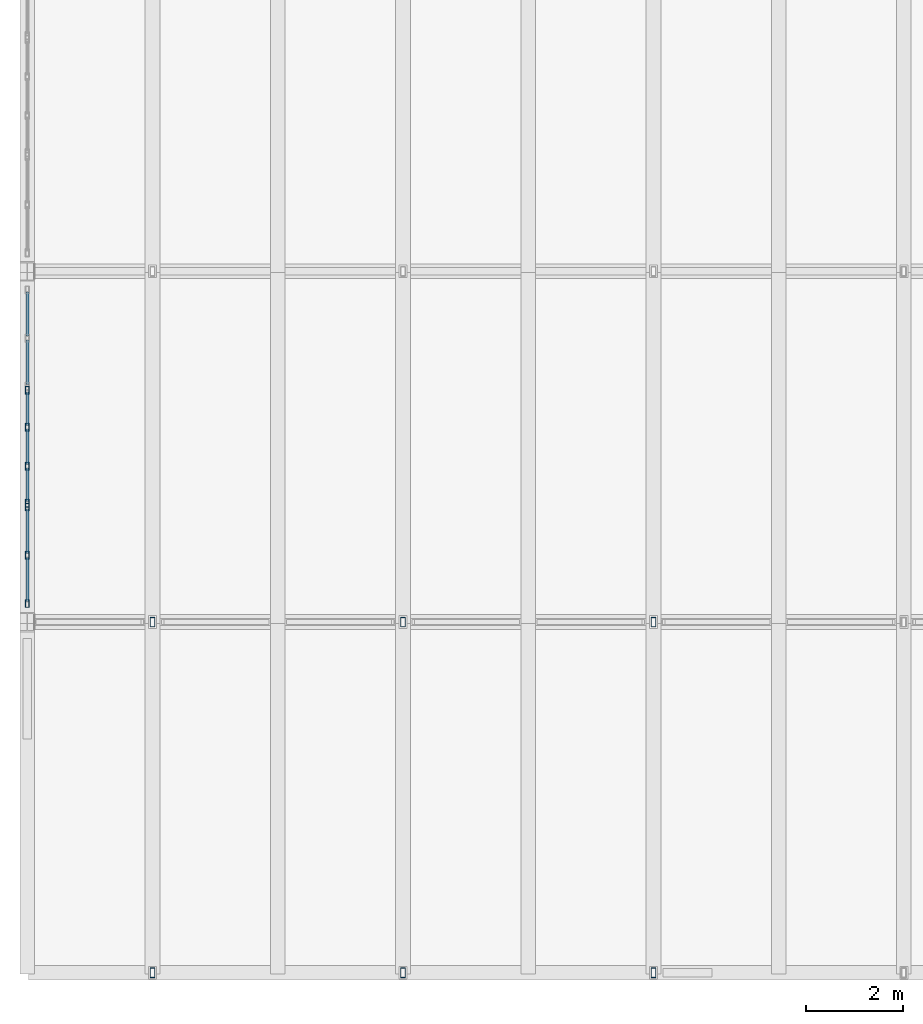
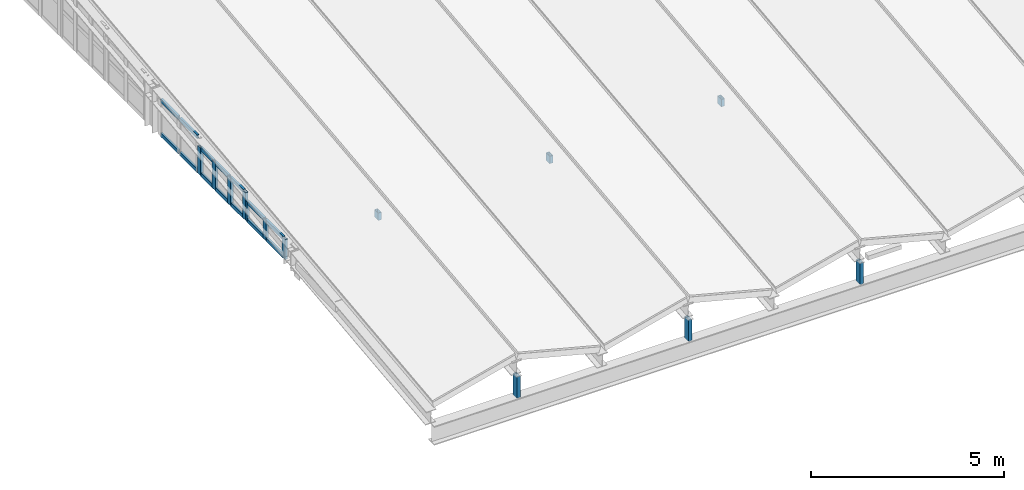
# One storey, part 17 of 39: 27 members, 3 elements without a shape of their own.
"""IFC4 building model written with IfcOpenShell, lengths in metres."""

import ifcopenshell
import ifcopenshell.guid

model = None  # the IFC model being written
_history = None  # IfcOwnerHistory: only IFC2X3 demands one
_inside = {}  # id of a spatial element -> (the spatial element, [elements in it])
_under = {}  # id of a project, library or spatial element -> (it, [spatial elements below it])
_declared = {}  # id of a project -> (the project, [libraries it declares])
_typed = {}  # id of a type object -> (the type object, [elements of that type])
_made_of = {}  # id of a material, layer set ... -> (it, [elements and type objects made of it])


def new_model(schema):
    """Start an empty IFC model of exactly this schema.

    Asked for "IFC4X3", IfcOpenShell would pick the latest addendum, in which some entities
    have other attributes; the version numbers below select the first issue.
    IFC2X3 requires an IfcOwnerHistory on every rooted entity: one is made here for all.
    """
    global model, _history
    if schema == "IFC4X3":
        model = ifcopenshell.file(schema_version=(4, 3, 0, 0))
    else:
        model = ifcopenshell.file(schema=schema)
    _inside.clear()
    _under.clear()
    _declared.clear()
    _typed.clear()
    _made_of.clear()
    _history = None
    if model.schema == "IFC2X3":
        org = make("IfcOrganization", Name="unknown")
        user = make(
            "IfcPersonAndOrganization",
            ThePerson=make("IfcPerson", FamilyName="unknown"),
            TheOrganization=org,
        )
        app = make(
            "IfcApplication",
            ApplicationDeveloper=org,
            Version="unknown",
            ApplicationFullName="unknown",
            ApplicationIdentifier="unknown",
        )
        _history = make(
            "IfcOwnerHistory",
            OwningUser=user,
            OwningApplication=app,
            ChangeAction="ADDED",
            CreationDate=0,
        )
    return model


def make(cls, **values):
    """One entity of the class cls with the attributes given. An attribute that is None is left unset."""
    return model.create_entity(
        cls, **{name: value for name, value in values.items() if value is not None}
    )


def rooted(cls, **values):
    """An entity with a GlobalId (a new one), such as an element, a storey or a relation."""
    return make(cls, GlobalId=ifcopenshell.guid.new(), OwnerHistory=_history, **values)


def si_unit(unit_type, name, prefix=None):
    """IfcSIUnit, for example si_unit("LENGTHUNIT", "METRE", prefix="MILLI")."""
    return make("IfcSIUnit", UnitType=unit_type, Prefix=prefix, Name=name)


def assignment(units):
    """IfcUnitAssignment: the units of a project."""
    return None if units is None else make("IfcUnitAssignment", Units=units)


def point(xyz):
    """IfcCartesianPoint."""
    return None if xyz is None else make("IfcCartesianPoint", Coordinates=xyz)


def direction(xyz):
    """IfcDirection."""
    return None if xyz is None else make("IfcDirection", DirectionRatios=xyz)


def frame(location, z_axis=None, x_axis=None):
    """IfcAxis2Placement3D, a coordinate frame: its origin and axes. An axis left out is left unset."""
    return make(
        "IfcAxis2Placement3D",
        Location=point(location),
        Axis=direction(z_axis),
        RefDirection=direction(x_axis),
    )


def frame_2d(location, x_axis=None):
    """IfcAxis2Placement2D, a coordinate frame in the plane: its origin and x axis."""
    return make(
        "IfcAxis2Placement2D", Location=point(location), RefDirection=direction(x_axis)
    )


def origin():
    """The frame at (0, 0, 0) with its axes left unset."""
    return frame((0.0, 0.0, 0.0))


def origin_2d():
    """The frame at (0, 0) in the plane with its x axis left unset."""
    return frame_2d((0.0, 0.0))


def place(relative_to, where):
    """IfcLocalPlacement: puts the frame where relative to a parent placement (None: the world)."""
    return make(
        "IfcLocalPlacement", PlacementRelTo=relative_to, RelativePlacement=where
    )


def context(
    kind, dimensions, precision=None, world=None, true_north=None, identifier=None
):
    """IfcGeometricRepresentationContext, for example the 3D "Model" context."""
    return make(
        "IfcGeometricRepresentationContext",
        ContextIdentifier=identifier,
        ContextType=kind,
        CoordinateSpaceDimension=dimensions,
        Precision=precision,
        WorldCoordinateSystem=world,
        TrueNorth=true_north,
    )


def subcontext(parent, identifier, kind, view, scale=None):
    """IfcGeometricRepresentationSubContext, for example "Body" below "Model"."""
    return make(
        "IfcGeometricRepresentationSubContext",
        ContextIdentifier=identifier,
        ContextType=kind,
        ParentContext=parent,
        TargetScale=scale,
        TargetView=view,
    )


def project(units=None, contexts=None):
    """IfcProject with its units and contexts."""
    return rooted(
        "IfcProject",
        Name="project",
        RepresentationContexts=contexts,
        UnitsInContext=assignment(units),
    )


def spatial(cls, under=None, at=None, **own):
    """A site, building, storey or space (cls), placed at a placement, below another one or the project."""
    s = rooted(cls, ObjectPlacement=at, **own)
    if under is not None:
        _under.setdefault(under.id(), (under, []))[1].append(s)
    return s


def profile(cls, at=None, kind="AREA", **sizes):
    """A parametric profile (cls). Its sizes go by their IFC names, for example OverallWidth=200.0."""
    return make(cls, ProfileType=kind, Position=at, **sizes)


def hollow_rectangle(**sizes):
    """IfcRectangleHollowProfileDef."""
    return profile("IfcRectangleHollowProfileDef", **sizes)


def extrude(swept, where, along, depth):
    """IfcExtrudedAreaSolid: the profile swept, set in the frame where, extruded along a direction by depth."""
    return make(
        "IfcExtrudedAreaSolid",
        SweptArea=swept,
        Position=where,
        ExtrudedDirection=direction(along),
        Depth=depth,
    )


def shape(context_of_items, identifier, shape_type, items):
    """IfcShapeRepresentation: the items that make up one representation, for example the "Body"."""
    return make(
        "IfcShapeRepresentation",
        ContextOfItems=context_of_items,
        RepresentationIdentifier=identifier,
        RepresentationType=shape_type,
        Items=items,
    )


def material(Name=None, Category=None):
    """IfcMaterial."""
    return make("IfcMaterial", Name=Name, Category=Category)


def layer(
    of_material, thickness, ventilated=None, Name=None, Category=None, Priority=None
):
    """IfcMaterialLayer: one layer of a wall or slab, of a material (None: an air gap)."""
    return make(
        "IfcMaterialLayer",
        Material=of_material,
        LayerThickness=thickness,
        IsVentilated=ventilated,
        Name=Name,
        Category=Category,
        Priority=Priority,
    )


def layer_set(layers, Name=None):
    """IfcMaterialLayerSet."""
    return make("IfcMaterialLayerSet", MaterialLayers=layers, LayerSetName=Name)


def material_profile(
    of_material, cross_section, Name=None, Category=None, Priority=None
):
    """IfcMaterialProfile: a cross section and its material."""
    return make(
        "IfcMaterialProfile",
        Name=Name,
        Material=of_material,
        Profile=cross_section,
        Priority=Priority,
        Category=Category,
    )


def profile_set(profiles, Name=None, composite=None):
    """IfcMaterialProfileSet."""
    return make(
        "IfcMaterialProfileSet",
        Name=Name,
        MaterialProfiles=profiles,
        CompositeProfile=composite,
    )


def made_of(thing, what):
    """Note that an element or type object is made of a material, layer set ...; save() writes the relation."""
    if what is not None:
        _made_of.setdefault(what.id(), (what, []))[1].append(thing)
    return thing


def type_object(cls, material=None, **own):
    """A type object (cls), such as IfcWallType, which elements share."""
    return made_of(rooted(cls, **own), material)


def element(
    cls,
    number,
    at=None,
    inside=None,
    cuts=None,
    type_object=None,
    material=None,
    context=None,
    identifier="Body",
    shape_type=None,
    held_by="IfcProductDefinitionShape",
    body=None,
    shapes=None,
    **own,
):
    """One element of the class cls, such as IfcWall. Its Tag is "e" and its number.

    at: its placement. inside: the storey or other place that contains it. cuts: it is an
    opening in that element (IfcRelVoidsElement). A single representation is given by context,
    identifier, shape_type and body (its items); several are given by shapes. held_by: the class
    of the entity that holds the representations. save() writes the other relations.
    """
    e = rooted(cls, Tag="e%d" % number, ObjectPlacement=at, **own)
    if body is not None:
        shapes = [shape(context, identifier, shape_type, body)]
    if shapes is not None:
        e.Representation = make(held_by, Representations=shapes)
    if inside is not None:
        _inside.setdefault(inside.id(), (inside, []))[1].append(e)
    if cuts is not None:
        rooted(
            "IfcRelVoidsElement", RelatingBuildingElement=cuts, RelatedOpeningElement=e
        )
    if type_object is not None:
        _typed.setdefault(type_object.id(), (type_object, []))[1].append(e)
    return made_of(e, material)


def aggregate(whole, parts):
    """IfcRelAggregates: a whole, such as a stair, and the parts it consists of."""
    return rooted("IfcRelAggregates", RelatingObject=whole, RelatedObjects=parts)


def save(model, path):
    """Write the relations noted so far, then the file.

    IfcRelAggregates (storeys below a building ...), IfcRelContainedInSpatialStructure (elements
    in a storey), IfcRelDefinesByType, IfcRelAssociatesMaterial and IfcRelDeclares: one each for
    every whole, place, type object, material and project.
    """
    for whole, parts in _under.values():
        aggregate(whole, parts)
    for where, things in _inside.values():
        rooted(
            "IfcRelContainedInSpatialStructure",
            RelatedElements=things,
            RelatingStructure=where,
        )
    for kind, things in _typed.values():
        rooted("IfcRelDefinesByType", RelatedObjects=things, RelatingType=kind)
    for what, things in _made_of.values():
        rooted("IfcRelAssociatesMaterial", RelatedObjects=things, RelatingMaterial=what)
    for by, libraries in _declared.values():
        rooted("IfcRelDeclares", RelatingContext=by, RelatedDefinitions=libraries)
    model.write(path)


model = new_model("IFC4")

# Units and contexts
model_context = context("Model", 3, precision=1e-05, world=origin(), true_north=direction((0.0, 1.0)))
body_context = subcontext(model_context, "Body", "Model", "MODEL_VIEW")
ifc_project = project(units=[si_unit("LENGTHUNIT", "METRE"), si_unit("AREAUNIT", "SQUARE_METRE"), si_unit("VOLUMEUNIT", "CUBIC_METRE"), si_unit("PLANEANGLEUNIT", "RADIAN"), si_unit("MASSUNIT", "GRAM", prefix="KILO"), si_unit("THERMODYNAMICTEMPERATUREUNIT", "KELVIN"), si_unit("POWERUNIT", "WATT")], contexts=[model_context])

# Site, building, storey
site_placement = place(None, origin())
site = spatial("IfcSite", under=ifc_project, at=site_placement, CompositionType="ELEMENT")
building_placement = place(site_placement, origin())
building = spatial("IfcBuilding", under=site, at=building_placement, Name="Kaldorven Railside Theatre", CompositionType="ELEMENT")
storey_placement = place(building_placement, frame((0.0, 0.0, 27.300048828125)))
storey = spatial("IfcBuildingStorey", under=building, at=storey_placement, Name="ROOF", CompositionType="ELEMENT", Elevation=27.300048828125)

# Curtain wall, members
ifc_material_1 = material(Name="Low-E laminated solar-control glass", Category="glass")
ifc_layer_1 = layer(ifc_material_1, 0.159912109375, Name="Low-E laminated solar-control glass")
ifc_layer_set_1 = layer_set([ifc_layer_1], Name="Low-E laminated solar-control glass")
curtain_wall_type_1 = type_object("IfcCurtainWallType", Name="CWT-53", PredefinedType="USERDEFINED", material=ifc_layer_set_1)
curtain_wall_1_placement = place(storey_placement, origin())
curtain_wall_1 = element("IfcCurtainWall", 1, at=curtain_wall_1_placement, inside=storey, type_object=curtain_wall_type_1, Name="Fly-Tower West Crown Clerestory CWG-092", ObjectType="FLUTED GLAZING", PredefinedType="USERDEFINED")
ifc_material_2 = material(Name="Anodised bronze aluminium", Category="aluminium")
ifc_material_profile_1 = material_profile(ifc_material_2, hollow_rectangle(XDim=0.080078125, YDim=0.159912109375, WallThickness=0.00634765625, at=origin_2d()), Name="RHS 160x80x6.3")
ifc_profile_set_1 = profile_set([ifc_material_profile_1], Name="Anodised bronze aluminium")
member_type_1 = type_object("IfcMemberType", Name="CWM-160", PredefinedType="MULLION", material=ifc_profile_set_1)
member_1_placement = place(storey_placement, frame((87.199951171875, 91.580078125, 0.02001953125), z_axis=(0.0, 0.0, 1.0), x_axis=(-1.0, 0.0, 0.0)))
member_1 = element("IfcMember", 2, at=member_1_placement, type_object=member_type_1, Name="CWG-092 mullion 1", PredefinedType="MULLION", context=body_context, shape_type="SweptSolid", body=[
    extrude(hollow_rectangle(XDim=0.080078125, YDim=0.159912109375, WallThickness=0.00634765625, at=origin_2d()), origin(), (0.0, 0.0, 1.0), 0.6298828125),
])
member_2_placement = place(storey_placement, frame((87.199951171875, 92.570068359375, 0.02001953125), z_axis=(0.0, 0.0, 1.0), x_axis=(-1.0, 0.0, 0.0)))
member_2 = element("IfcMember", 3, at=member_2_placement, type_object=member_type_1, Name="CWG-092 mullion 2", PredefinedType="MULLION", context=body_context, shape_type="SweptSolid", body=[
    extrude(hollow_rectangle(XDim=0.080078125, YDim=0.159912109375, WallThickness=0.00634765625, at=origin_2d()), origin(), (0.0, 0.0, 1.0), 0.6298828125),
])
member_3_placement = place(storey_placement, frame((87.199951171875, 93.56005859375, 0.02001953125), z_axis=(0.0, 0.0, 1.0), x_axis=(-1.0, 0.0, 0.0)))
member_3 = element("IfcMember", 4, at=member_3_placement, type_object=member_type_1, Name="CWG-092 mullion 3", PredefinedType="MULLION", context=body_context, shape_type="SweptSolid", body=[
    extrude(hollow_rectangle(XDim=0.080078125, YDim=0.159912109375, WallThickness=0.00634765625, at=origin_2d()), origin(), (0.0, 0.0, 1.0), 0.6298828125),
])

ifc_layer_2 = layer(ifc_material_1, 0.159912109375, Name="Low-E laminated solar-control glass")
ifc_layer_set_2 = layer_set([ifc_layer_2], Name="Low-E laminated solar-control glass")
curtain_wall_type_2 = type_object("IfcCurtainWallType", Name="CWT-27", PredefinedType="USERDEFINED", material=ifc_layer_set_2)
curtain_wall_2_placement = place(storey_placement, origin())
curtain_wall_2 = element("IfcCurtainWall", 5, at=curtain_wall_2_placement, inside=storey, type_object=curtain_wall_type_2, Name="Fly-Tower West Crown Clerestory CWG-093", ObjectType="FLUTED GLAZING", PredefinedType="USERDEFINED")
member_4_placement = place(storey_placement, frame((87.199951171875, 93.639892578125, 0.02001953125), z_axis=(0.0, 0.0, 1.0), x_axis=(-1.0, 0.0, 0.0)))
member_4 = element("IfcMember", 6, at=member_4_placement, type_object=member_type_1, Name="CWG-093 mullion 1", PredefinedType="MULLION", context=body_context, shape_type="SweptSolid", body=[
    extrude(hollow_rectangle(XDim=0.080078125, YDim=0.159912109375, WallThickness=0.00634765625, at=origin_2d()), origin(), (0.0, 0.0, 1.0), 0.869873046875),
])
member_5_placement = place(storey_placement, frame((87.199951171875, 94.39990234375, 0.02001953125), z_axis=(0.0, 0.0, 1.0), x_axis=(-1.0, 0.0, 0.0)))
member_5 = element("IfcMember", 7, at=member_5_placement, type_object=member_type_1, Name="CWG-093 mullion 2", PredefinedType="MULLION", context=body_context, shape_type="SweptSolid", body=[
    extrude(hollow_rectangle(XDim=0.080078125, YDim=0.159912109375, WallThickness=0.00634765625, at=origin_2d()), origin(), (0.0, 0.0, 1.0), 0.869873046875),
])
member_6_placement = place(storey_placement, frame((87.199951171875, 95.199951171875, 0.02001953125), z_axis=(0.0, 0.0, 1.0), x_axis=(-1.0, 0.0, 0.0)))
member_6 = element("IfcMember", 8, at=member_6_placement, type_object=member_type_1, Name="CWG-093 mullion 3", PredefinedType="MULLION", context=body_context, shape_type="SweptSolid", body=[
    extrude(hollow_rectangle(XDim=0.080078125, YDim=0.159912109375, WallThickness=0.00634765625, at=origin_2d()), origin(), (0.0, 0.0, 1.0), 0.869873046875),
])
member_7_placement = place(storey_placement, frame((87.199951171875, 95.9599609375, 0.02001953125), z_axis=(0.0, 0.0, 1.0), x_axis=(-1.0, 0.0, 0.0)))
member_7 = element("IfcMember", 9, at=member_7_placement, type_object=member_type_1, Name="CWG-093 mullion 4", PredefinedType="MULLION", context=body_context, shape_type="SweptSolid", body=[
    extrude(hollow_rectangle(XDim=0.080078125, YDim=0.159912109375, WallThickness=0.00634765625, at=origin_2d()), origin(), (0.0, 0.0, 1.0), 0.869873046875),
])

# Member
ifc_material_profile_2 = material_profile(ifc_material_2, hollow_rectangle(XDim=0.06005859375, YDim=0.1201171875, WallThickness=0.0048828125, at=origin_2d()), Name="RHS 120x60x5")
ifc_profile_set_2 = profile_set([ifc_material_profile_2], Name="Anodised bronze aluminium")
member_type_2 = type_object("IfcMemberType", Name="CWT-120", PredefinedType="USERDEFINED", material=ifc_profile_set_2)
member_8_placement = place(storey_placement, frame((87.199951171875, 91.6201171875, 0.050048828125), z_axis=(0.0, 1.0, 0.0), x_axis=(-1.0, 0.0, 0.0)))
member_8 = element("IfcMember", 10, at=member_8_placement, type_object=member_type_2, Name="CWG-092 transom 1.1", ObjectType="TRANSOM", PredefinedType="USERDEFINED", context=body_context, shape_type="SweptSolid", body=[
    extrude(hollow_rectangle(XDim=0.06005859375, YDim=0.1201171875, WallThickness=0.0048828125, at=origin_2d()), origin(), (0.0, 0.0, 1.0), 0.909912109375),
])

member_9_placement = place(storey_placement, frame((87.199951171875, 91.6201171875, 0.619873046875), z_axis=(0.0, 1.0, 0.0), x_axis=(-1.0, 0.0, 0.0)))
member_9 = element("IfcMember", 11, at=member_9_placement, type_object=member_type_2, Name="CWG-092 transom 1.2", ObjectType="TRANSOM", PredefinedType="USERDEFINED", context=body_context, shape_type="SweptSolid", body=[
    extrude(hollow_rectangle(XDim=0.06005859375, YDim=0.1201171875, WallThickness=0.0048828125, at=origin_2d()), origin(), (0.0, 0.0, 1.0), 0.909912109375),
])

member_10_placement = place(storey_placement, frame((87.199951171875, 92.610107421875, 0.050048828125), z_axis=(0.0, 1.0, 0.0), x_axis=(-1.0, 0.0, 0.0)))
member_10 = element("IfcMember", 12, at=member_10_placement, type_object=member_type_2, Name="CWG-092 transom 2.1", ObjectType="TRANSOM", PredefinedType="USERDEFINED", context=body_context, shape_type="SweptSolid", body=[
    extrude(hollow_rectangle(XDim=0.06005859375, YDim=0.1201171875, WallThickness=0.0048828125, at=origin_2d()), origin(), (0.0, 0.0, 1.0), 0.909912109375),
])

member_11_placement = place(storey_placement, frame((87.199951171875, 92.610107421875, 0.619873046875), z_axis=(0.0, 1.0, 0.0), x_axis=(-1.0, 0.0, 0.0)))
member_11 = element("IfcMember", 13, at=member_11_placement, type_object=member_type_2, Name="CWG-092 transom 2.2", ObjectType="TRANSOM", PredefinedType="USERDEFINED", context=body_context, shape_type="SweptSolid", body=[
    extrude(hollow_rectangle(XDim=0.06005859375, YDim=0.1201171875, WallThickness=0.0048828125, at=origin_2d()), origin(), (0.0, 0.0, 1.0), 0.909912109375),
])

aggregate(curtain_wall_1, [member_1, member_2, member_3, member_8, member_9, member_10, member_11])

member_12_placement = place(storey_placement, frame((87.199951171875, 93.679931640625, 0.050048828125), z_axis=(0.0, 1.0, 0.0), x_axis=(-1.0, 0.0, 0.0)))
member_12 = element("IfcMember", 14, at=member_12_placement, type_object=member_type_2, Name="CWG-093 transom 1.1", ObjectType="TRANSOM", PredefinedType="USERDEFINED", context=body_context, shape_type="SweptSolid", body=[
    extrude(hollow_rectangle(XDim=0.06005859375, YDim=0.1201171875, WallThickness=0.0048828125, at=origin_2d()), origin(), (0.0, 0.0, 1.0), 0.68017578125),
])

member_13_placement = place(storey_placement, frame((87.199951171875, 93.679931640625, 0.85986328125), z_axis=(0.0, 1.0, 0.0), x_axis=(-1.0, 0.0, 0.0)))
member_13 = element("IfcMember", 15, at=member_13_placement, type_object=member_type_2, Name="CWG-093 transom 1.2", ObjectType="TRANSOM", PredefinedType="USERDEFINED", context=body_context, shape_type="SweptSolid", body=[
    extrude(hollow_rectangle(XDim=0.06005859375, YDim=0.1201171875, WallThickness=0.0048828125, at=origin_2d()), origin(), (0.0, 0.0, 1.0), 0.68017578125),
])

member_14_placement = place(storey_placement, frame((87.199951171875, 94.43994140625, 0.050048828125), z_axis=(0.0, 1.0, 0.0), x_axis=(-1.0, 0.0, 0.0)))
member_14 = element("IfcMember", 16, at=member_14_placement, type_object=member_type_2, Name="CWG-093 transom 2.1", ObjectType="TRANSOM", PredefinedType="USERDEFINED", context=body_context, shape_type="SweptSolid", body=[
    extrude(hollow_rectangle(XDim=0.06005859375, YDim=0.1201171875, WallThickness=0.0048828125, at=origin_2d()), origin(), (0.0, 0.0, 1.0), 0.719970703125),
])

member_15_placement = place(storey_placement, frame((87.199951171875, 94.43994140625, 0.85986328125), z_axis=(0.0, 1.0, 0.0), x_axis=(-1.0, 0.0, 0.0)))
member_15 = element("IfcMember", 17, at=member_15_placement, type_object=member_type_2, Name="CWG-093 transom 2.2", ObjectType="TRANSOM", PredefinedType="USERDEFINED", context=body_context, shape_type="SweptSolid", body=[
    extrude(hollow_rectangle(XDim=0.06005859375, YDim=0.1201171875, WallThickness=0.0048828125, at=origin_2d()), origin(), (0.0, 0.0, 1.0), 0.719970703125),
])

member_16_placement = place(storey_placement, frame((87.199951171875, 95.239990234375, 0.050048828125), z_axis=(0.0, 1.0, 0.0), x_axis=(-1.0, 0.0, 0.0)))
member_16 = element("IfcMember", 18, at=member_16_placement, type_object=member_type_2, Name="CWG-093 transom 3.1", ObjectType="TRANSOM", PredefinedType="USERDEFINED", context=body_context, shape_type="SweptSolid", body=[
    extrude(hollow_rectangle(XDim=0.06005859375, YDim=0.1201171875, WallThickness=0.0048828125, at=origin_2d()), origin(), (0.0, 0.0, 1.0), 0.679931640625),
])

member_17_placement = place(storey_placement, frame((87.199951171875, 95.239990234375, 0.85986328125), z_axis=(0.0, 1.0, 0.0), x_axis=(-1.0, 0.0, 0.0)))
member_17 = element("IfcMember", 19, at=member_17_placement, type_object=member_type_2, Name="CWG-093 transom 3.2", ObjectType="TRANSOM", PredefinedType="USERDEFINED", context=body_context, shape_type="SweptSolid", body=[
    extrude(hollow_rectangle(XDim=0.06005859375, YDim=0.1201171875, WallThickness=0.0048828125, at=origin_2d()), origin(), (0.0, 0.0, 1.0), 0.679931640625),
])

aggregate(curtain_wall_2, [member_4, member_5, member_6, member_7, member_12, member_13, member_14, member_15, member_16, member_17])

# Curtain wall, members
ifc_layer_3 = layer(ifc_material_1, 0.159912109375, Name="Low-E laminated solar-control glass")
ifc_layer_set_3 = layer_set([ifc_layer_3], Name="Low-E laminated solar-control glass")
curtain_wall_type_3 = type_object("IfcCurtainWallType", Name="CWT-54", PredefinedType="USERDEFINED", material=ifc_layer_set_3)
curtain_wall_3_placement = place(storey_placement, origin())
curtain_wall_3 = element("IfcCurtainWall", 20, at=curtain_wall_3_placement, inside=storey, type_object=curtain_wall_type_3, Name="Fly-Tower West Crown Clerestory CWG-094", ObjectType="FLUTED GLAZING", PredefinedType="USERDEFINED")
member_18_placement = place(storey_placement, frame((87.199951171875, 96.080078125, 0.050048828125), z_axis=(0.0, 1.0, 0.0), x_axis=(-1.0, 0.0, 0.0)))
member_18 = element("IfcMember", 21, at=member_18_placement, type_object=member_type_2, Name="CWG-094 transom 1.1", ObjectType="TRANSOM", PredefinedType="USERDEFINED", context=body_context, shape_type="SweptSolid", body=[
    extrude(hollow_rectangle(XDim=0.06005859375, YDim=0.1201171875, WallThickness=0.0048828125, at=origin_2d()), origin(), (0.0, 0.0, 1.0), 0.909912109375),
])
member_19_placement = place(storey_placement, frame((87.199951171875, 96.080078125, 1.1298828125), z_axis=(0.0, 1.0, 0.0), x_axis=(-1.0, 0.0, 0.0)))
member_19 = element("IfcMember", 22, at=member_19_placement, type_object=member_type_2, Name="CWG-094 transom 1.2", ObjectType="TRANSOM", PredefinedType="USERDEFINED", context=body_context, shape_type="SweptSolid", body=[
    extrude(hollow_rectangle(XDim=0.06005859375, YDim=0.1201171875, WallThickness=0.0048828125, at=origin_2d()), origin(), (0.0, 0.0, 1.0), 0.909912109375),
])
member_20_placement = place(storey_placement, frame((87.199951171875, 97.070068359375, 0.050048828125), z_axis=(0.0, 1.0, 0.0), x_axis=(-1.0, 0.0, 0.0)))
member_20 = element("IfcMember", 23, at=member_20_placement, type_object=member_type_2, Name="CWG-094 transom 2.1", ObjectType="TRANSOM", PredefinedType="USERDEFINED", context=body_context, shape_type="SweptSolid", body=[
    extrude(hollow_rectangle(XDim=0.06005859375, YDim=0.1201171875, WallThickness=0.0048828125, at=origin_2d()), origin(), (0.0, 0.0, 1.0), 0.909912109375),
])
member_21_placement = place(storey_placement, frame((87.199951171875, 97.070068359375, 1.1298828125), z_axis=(0.0, 1.0, 0.0), x_axis=(-1.0, 0.0, 0.0)))
member_21 = element("IfcMember", 24, at=member_21_placement, type_object=member_type_2, Name="CWG-094 transom 2.2", ObjectType="TRANSOM", PredefinedType="USERDEFINED", context=body_context, shape_type="SweptSolid", body=[
    extrude(hollow_rectangle(XDim=0.06005859375, YDim=0.1201171875, WallThickness=0.0048828125, at=origin_2d()), origin(), (0.0, 0.0, 1.0), 0.909912109375),
])
aggregate(curtain_wall_3, [member_18, member_19, member_20, member_21])

# Members
ifc_material_3 = material(Name="Steel S355", Category="steel")
ifc_material_profile_3 = material_profile(ifc_material_3, hollow_rectangle(XDim=0.10009765625, YDim=0.199951171875, WallThickness=0.008056640625, at=origin_2d()), Name="RHS 200x100x8")
ifc_profile_set_3 = profile_set([ifc_material_profile_3], Name="Steel S355")
member_type_3 = type_object("IfcMemberType", Name="MEM-RHS200", PredefinedType="STRUT", material=ifc_profile_set_3)
for number, where, z_axis, x_axis, name in (
    (25, (89.771484375, 84.0, -0.66552734375), (0.0, 0.0, 1.0), (1.0, 0.0, 0.0), "V2 S Gable Bearing Post"),
    (26, (94.914306640625, 84.0, -0.66552734375), (0.0, 0.0, 1.0), (1.0, 0.0, 0.0), "V2 S Gable Bearing Post"),
    (27, (100.05712890625, 84.0, -0.66552734375), (0.0, 0.0, 1.0), (1.0, 0.0, 0.0), "V2 S Gable Bearing Post"),
):
    element("IfcMember", number, at=place(storey_placement, frame(where, z_axis=z_axis, x_axis=x_axis)), inside=storey, type_object=member_type_3, Name=name, PredefinedType="STRUT", context=body_context, shape_type="SweptSolid", body=[
        extrude(hollow_rectangle(XDim=0.10009765625, YDim=0.199951171875, WallThickness=0.008056640625, at=origin_2d()), origin(), (0.0, 0.0, 1.0), 0.6875),
    ])
for number, where, z_axis, x_axis, name in (
    (28, (89.771484375, 91.199951171875, 0.6044921875), (0.0, 0.0, 1.0), (1.0, 0.0, 0.0), "V2 Folded-Roof King-Post Strut STR-044"),
    (29, (94.914306640625, 91.199951171875, 0.6044921875), (0.0, 0.0, 1.0), (1.0, 0.0, 0.0), "V2 Folded-Roof King-Post Strut STR-047"),
    (30, (100.05712890625, 91.199951171875, 0.6044921875), (0.0, 0.0, 1.0), (1.0, 0.0, 0.0), "V2 Folded-Roof King-Post Strut STR-050"),
):
    element("IfcMember", number, at=place(storey_placement, frame(where, z_axis=z_axis, x_axis=x_axis)), inside=storey, type_object=member_type_3, Name=name, PredefinedType="STRUT", context=body_context, shape_type="SweptSolid", body=[
        extrude(hollow_rectangle(XDim=0.10009765625, YDim=0.199951171875, WallThickness=0.008056640625, at=origin_2d()), origin(), (0.0, 0.0, 1.0), 0.235595703125),
    ])

save(model, "model.ifc")
